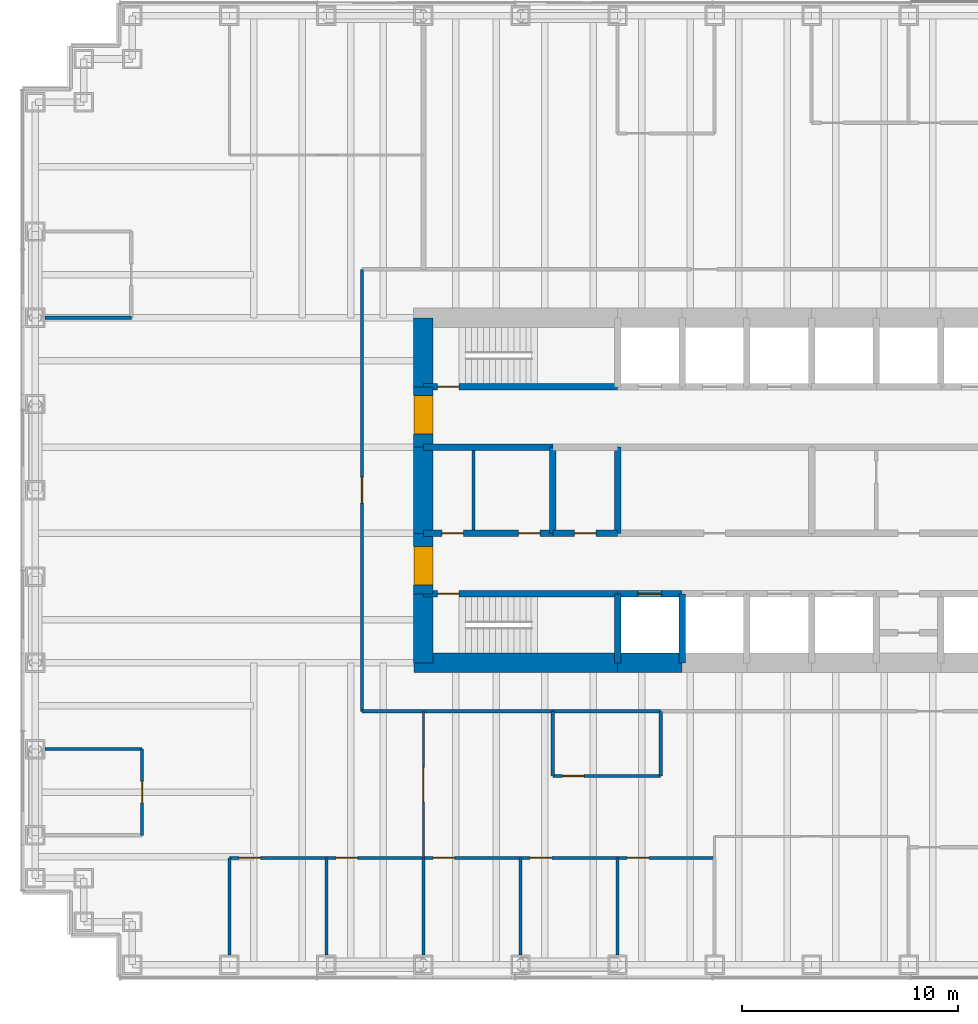
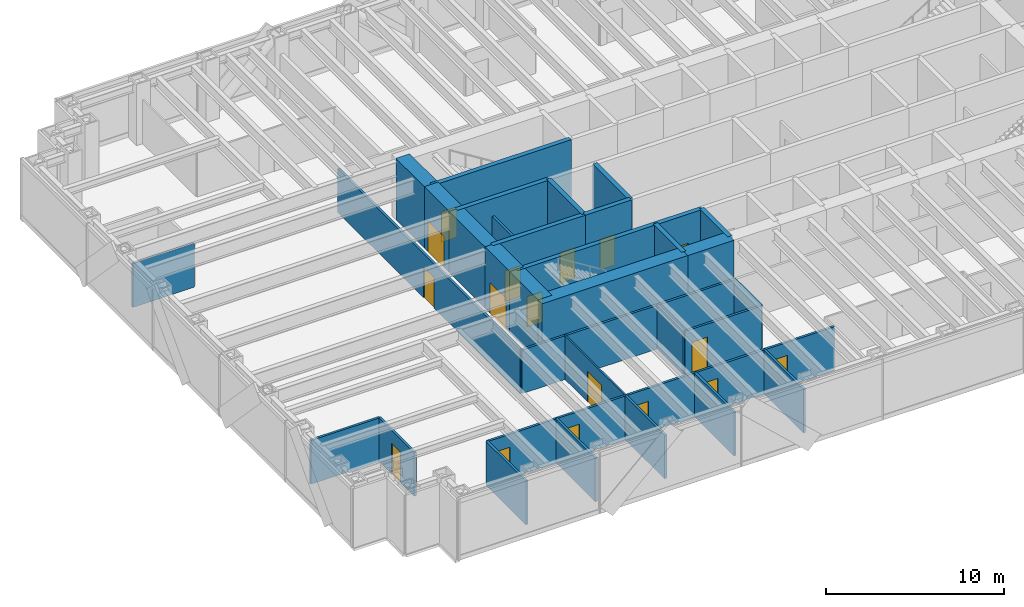
# One storey, part 11 of 15: 34 walls, 17 doors, 17 openings.
"""IFC4 building model written with IfcOpenShell, lengths in metres."""

from ifc_helpers import new_model, si_unit, direction, frame, frame_2d, origin, place, context, subcontext, project, spatial, rectangle, extrude, material, layer, layer_set, type_object, element, fill, save


model = new_model("IFC4")

# Units and contexts
model_context = context("Model", 3, precision=1e-05, world=origin(), true_north=direction((0.0, 1.0)))
body_context = subcontext(model_context, "Body", "Model", "MODEL_VIEW")
ifc_project = project(units=[si_unit("LENGTHUNIT", "METRE"), si_unit("AREAUNIT", "SQUARE_METRE"), si_unit("VOLUMEUNIT", "CUBIC_METRE"), si_unit("PLANEANGLEUNIT", "RADIAN"), si_unit("MASSUNIT", "GRAM", prefix="KILO")], contexts=[model_context])

# Site, building, storey
site_placement = place(None, origin())
site = spatial("IfcSite", under=ifc_project, at=site_placement, CompositionType="ELEMENT")
building_placement = place(site_placement, origin())
building = spatial("IfcBuilding", under=site, at=building_placement, Name="Rheinbord Bourse Tower", CompositionType="ELEMENT")
storey_placement = place(building_placement, frame((0.0, 0.0, 163.5)))
storey = spatial("IfcBuildingStorey", under=building, at=storey_placement, Name="L36", CompositionType="ELEMENT", Elevation=163.5)

# Wall, opening, door
ifc_material_1 = material(Name="Concrete C50/60", Category="concrete")
ifc_layer_1 = layer(ifc_material_1, 0.300048828125)
ifc_layer_set_1 = layer_set([ifc_layer_1], Name="CORE INNER WALL 300")
wall_type_1 = type_object("IfcWallType", Name="CORE INNER WALL 300", PredefinedType="SOLIDWALL", material=ifc_layer_set_1)
wall_1_placement = place(storey_placement, frame((18.0, 19.199951171875, 0.0), z_axis=(0.0, 0.0, 1.0), x_axis=(1.0, 0.0, 0.0)))
wall_1 = element("IfcWall", 1, at=wall_1_placement, inside=storey, type_object=wall_type_1, Name="Core wall A1 L36", PredefinedType="SOLIDWALL", context=body_context, shape_type="SweptSolid", body=[
    extrude(rectangle(XDim=9.0, YDim=0.300048828125, at=frame_2d((4.5, 0.0))), origin(), (0.0, 0.0, 1.0), 4.199951171875),
])
opening_1_placement = place(wall_1_placement, frame((0.64990234375, 0.0, 0.0)))
opening_1 = element("IfcOpeningElement", 2, at=opening_1_placement, cuts=wall_1, Name="Opening 3610", PredefinedType="OPENING", context=body_context, shape_type="SweptSolid", body=[
    extrude(rectangle(XDim=1.0, YDim=2.10009765625, at=frame_2d((0.5, 1.050048828125))), frame((0.0, 0.159912109375, 0.0), z_axis=(0.0, -1.0, 0.0), x_axis=(1.0, 0.0, 0.0)), (0.0, 0.0, 1.0), 0.320068359375),
])
ifc_material_2 = material(Name="Steel door", Category="steel")
door_type_1 = type_object("IfcDoorType", Name="DOOR 1000 EI30", OperationType="SINGLE_SWING_LEFT", PredefinedType="DOOR", material=ifc_material_2)
door_1_placement = place(opening_1_placement, origin())
door_1 = element("IfcDoor", 3, at=door_1_placement, inside=storey, type_object=door_type_1, Name="Stair door ST1 L36", OperationType="SINGLE_SWING_LEFT", OverallHeight=2.10009765625, OverallWidth=1.0, PredefinedType="DOOR", context=body_context, shape_type="SweptSolid", body=[
    extrude(rectangle(XDim=1.0, YDim=2.10009765625, at=frame_2d((0.5, 1.050048828125))), frame((0.0, 0.02490234375, 0.0), z_axis=(0.0, -1.0, 0.0), x_axis=(1.0, 0.0, 0.0)), (0.0, 0.0, 1.0), 0.050048828125),
])
fill(opening_1, door_1)

wall_2_placement = place(storey_placement, frame((27.0, 19.199951171875, 0.0), z_axis=(0.0, 0.0, 1.0), x_axis=(1.0, 0.0, 0.0)))
wall_2 = element("IfcWall", 4, at=wall_2_placement, inside=storey, type_object=wall_type_1, Name="Core wall A2 L36", PredefinedType="SOLIDWALL", context=body_context, shape_type="SweptSolid", body=[
    extrude(rectangle(XDim=3.0, YDim=0.300048828125, at=frame_2d((1.5, 0.0))), origin(), (0.0, 0.0, 1.0), 4.199951171875),
])
opening_2_placement = place(wall_2_placement, frame((0.949951171875, 0.0, 0.0)))
opening_2 = element("IfcOpeningElement", 5, at=opening_2_placement, cuts=wall_2, Name="Opening FL1", PredefinedType="OPENING", context=body_context, shape_type="SweptSolid", body=[
    extrude(rectangle(XDim=1.10009765625, YDim=2.199951171875, at=frame_2d((0.550048828125, 1.10009765625))), frame((0.0, 0.159912109375, 0.0), z_axis=(0.0, -1.0, 0.0), x_axis=(1.0, 0.0, 0.0)), (0.0, 0.0, 1.0), 0.320068359375),
])
ifc_material_3 = material(Name="Steel landing door", Category="steel")
door_type_2 = type_object("IfcDoorType", Name="LIFT LANDING DOOR 1100", OperationType="DOUBLE_DOOR_SLIDING", PredefinedType="USERDEFINED", material=ifc_material_3)
door_2_placement = place(opening_2_placement, origin())
door_2 = element("IfcDoor", 6, at=door_2_placement, inside=storey, type_object=door_type_2, Name="Lift landing door FL1 L36", ObjectType="LIFT LANDING DOOR", OperationType="DOUBLE_DOOR_SLIDING", OverallHeight=2.199951171875, OverallWidth=1.10009765625, PredefinedType="USERDEFINED", context=body_context, shape_type="SweptSolid", body=[
    extrude(rectangle(XDim=1.10009765625, YDim=2.199951171875, at=frame_2d((0.550048828125, 1.10009765625))), frame((0.0, 0.02490234375, 0.0), z_axis=(0.0, -1.0, 0.0), x_axis=(1.0, 0.0, 0.0)), (0.0, 0.0, 1.0), 0.050048828125),
])
fill(opening_2, door_2)

wall_3_placement = place(storey_placement, frame((18.0, 28.800048828125, 0.0), z_axis=(0.0, 0.0, 1.0), x_axis=(1.0, 0.0, 0.0)))
wall_3 = element("IfcWall", 7, at=wall_3_placement, inside=storey, type_object=wall_type_1, Name="Core wall B1 L36", PredefinedType="SOLIDWALL", context=body_context, shape_type="SweptSolid", body=[
    extrude(rectangle(XDim=9.0, YDim=0.300048828125, at=frame_2d((4.5, 0.0))), origin(), (0.0, 0.0, 1.0), 4.199951171875),
])
opening_3_placement = place(wall_3_placement, frame((0.64990234375, 0.0, 0.0)))
opening_3 = element("IfcOpeningElement", 8, at=opening_3_placement, cuts=wall_3, Name="Opening 3620", PredefinedType="OPENING", context=body_context, shape_type="SweptSolid", body=[
    extrude(rectangle(XDim=1.0, YDim=2.10009765625, at=frame_2d((0.5, 1.050048828125))), frame((0.0, 0.159912109375, 0.0), z_axis=(0.0, -1.0, 0.0), x_axis=(1.0, 0.0, 0.0)), (0.0, 0.0, 1.0), 0.320068359375),
])
door_3_placement = place(opening_3_placement, origin())
door_3 = element("IfcDoor", 9, at=door_3_placement, inside=storey, type_object=door_type_1, Name="Stair door ST2 L36", OperationType="SINGLE_SWING_LEFT", OverallHeight=2.10009765625, OverallWidth=1.0, PredefinedType="DOOR", context=body_context, shape_type="SweptSolid", body=[
    extrude(rectangle(XDim=1.0, YDim=2.10009765625, at=frame_2d((0.5, 1.050048828125))), frame((0.0, 0.02490234375, 0.0), z_axis=(0.0, -1.0, 0.0), x_axis=(1.0, 0.0, 0.0)), (0.0, 0.0, 1.0), 0.050048828125),
])
fill(opening_3, door_3)

# Wall, openings, doors
wall_4_placement = place(storey_placement, frame((18.0, 22.0, 0.0), z_axis=(0.0, 0.0, 1.0), x_axis=(1.0, 0.0, 0.0)))
wall_4 = element("IfcWall", 10, at=wall_4_placement, inside=storey, type_object=wall_type_1, Name="Core wall C1 L36", PredefinedType="SOLIDWALL", context=body_context, shape_type="SweptSolid", body=[
    extrude(rectangle(XDim=6.0, YDim=0.300048828125, at=frame_2d((3.0, 0.0))), origin(), (0.0, 0.0, 1.0), 4.199951171875),
])
opening_4_placement = place(wall_4_placement, frame((4.39990234375, 0.0, 0.0)))
opening_4 = element("IfcOpeningElement", 11, at=opening_4_placement, cuts=wall_4, Name="Opening 36R1", PredefinedType="OPENING", context=body_context, shape_type="SweptSolid", body=[
    extrude(rectangle(XDim=1.0, YDim=2.10009765625, at=frame_2d((0.5, 1.050048828125))), frame((0.0, 0.159912109375, 0.0), z_axis=(0.0, -1.0, 0.0), x_axis=(1.0, 0.0, 0.0)), (0.0, 0.0, 1.0), 0.320068359375),
])
opening_5_placement = place(wall_4_placement, frame((0.85009765625, 0.0, 0.0)))
opening_5 = element("IfcOpeningElement", 12, at=opening_5_placement, cuts=wall_4, Name="Opening 36R9", PredefinedType="OPENING", context=body_context, shape_type="SweptSolid", body=[
    extrude(rectangle(XDim=1.0, YDim=2.10009765625, at=frame_2d((0.5, 1.050048828125))), frame((0.0, 0.159912109375, 0.0), z_axis=(0.0, -1.0, 0.0), x_axis=(1.0, 0.0, 0.0)), (0.0, 0.0, 1.0), 0.320068359375),
])
door_4_placement = place(opening_5_placement, origin())
door_4 = element("IfcDoor", 13, at=door_4_placement, inside=storey, type_object=door_type_1, Name="Staff shower door L36", OperationType="SINGLE_SWING_LEFT", OverallHeight=2.10009765625, OverallWidth=1.0, PredefinedType="DOOR", context=body_context, shape_type="SweptSolid", body=[
    extrude(rectangle(XDim=1.0, YDim=2.10009765625, at=frame_2d((0.5, 1.050048828125))), frame((0.0, 0.02490234375, 0.0), z_axis=(0.0, -1.0, 0.0), x_axis=(1.0, 0.0, 0.0)), (0.0, 0.0, 1.0), 0.050048828125),
])
fill(opening_5, door_4)
ifc_material_4 = material(Name="Timber door", Category="wood")
door_type_3 = type_object("IfcDoorType", Name="DOOR 1000 WC", OperationType="SINGLE_SWING_LEFT", PredefinedType="DOOR", material=ifc_material_4)
door_5_placement = place(opening_4_placement, origin())
door_5 = element("IfcDoor", 14, at=door_5_placement, inside=storey, type_object=door_type_3, Name="WC men door L36", OperationType="SINGLE_SWING_RIGHT", OverallHeight=2.10009765625, OverallWidth=1.0, PredefinedType="DOOR", context=body_context, shape_type="SweptSolid", body=[
    extrude(rectangle(XDim=1.0, YDim=2.10009765625, at=frame_2d((0.5, 1.050048828125))), frame((0.0, 0.02490234375, 0.0), z_axis=(0.0, -1.0, 0.0), x_axis=(1.0, 0.0, 0.0)), (0.0, 0.0, 1.0), 0.050048828125),
])
fill(opening_4, door_5)

# Wall, opening, door
wall_5_placement = place(storey_placement, frame((24.0, 22.0, 0.0), z_axis=(0.0, 0.0, 1.0), x_axis=(1.0, 0.0, 0.0)))
wall_5 = element("IfcWall", 15, at=wall_5_placement, inside=storey, type_object=wall_type_1, Name="Core wall C2 L36", PredefinedType="SOLIDWALL", context=body_context, shape_type="SweptSolid", body=[
    extrude(rectangle(XDim=3.0, YDim=0.300048828125, at=frame_2d((1.5, 0.0))), origin(), (0.0, 0.0, 1.0), 4.199951171875),
])
opening_6_placement = place(wall_5_placement, frame((1.0, 0.0, 0.0)))
opening_6 = element("IfcOpeningElement", 16, at=opening_6_placement, cuts=wall_5, Name="Opening 36R2", PredefinedType="OPENING", context=body_context, shape_type="SweptSolid", body=[
    extrude(rectangle(XDim=1.0, YDim=2.10009765625, at=frame_2d((0.5, 1.050048828125))), frame((0.0, 0.159912109375, 0.0), z_axis=(0.0, -1.0, 0.0), x_axis=(1.0, 0.0, 0.0)), (0.0, 0.0, 1.0), 0.320068359375),
])
door_6_placement = place(opening_6_placement, origin())
door_6 = element("IfcDoor", 17, at=door_6_placement, inside=storey, type_object=door_type_3, Name="Shower and accessible WC door L36", OperationType="SINGLE_SWING_LEFT", OverallHeight=2.10009765625, OverallWidth=1.0, PredefinedType="DOOR", context=body_context, shape_type="SweptSolid", body=[
    extrude(rectangle(XDim=1.0, YDim=2.10009765625, at=frame_2d((0.5, 1.050048828125))), frame((0.0, 0.02490234375, 0.0), z_axis=(0.0, -1.0, 0.0), x_axis=(1.0, 0.0, 0.0)), (0.0, 0.0, 1.0), 0.050048828125),
])
fill(opening_6, door_6)

# Walls
wall_6_placement = place(storey_placement, frame((18.0, 26.0, 0.0), z_axis=(0.0, 0.0, 1.0), x_axis=(1.0, 0.0, 0.0)))
element("IfcWall", 18, at=wall_6_placement, inside=storey, type_object=wall_type_1, Name="Core wall D1 L36", PredefinedType="SOLIDWALL", context=body_context, shape_type="SweptSolid", body=[
    extrude(rectangle(XDim=6.0, YDim=0.300048828125, at=frame_2d((3.0, 0.0))), origin(), (0.0, 0.0, 1.0), 4.199951171875),
])
for number, where, z_axis, x_axis, name in (
    (19, (27.0, 16.0, 0.0), (0.0, 0.0, 1.0), (0.0, 1.0, 0.0), "Core wall SX27 L36"),
    (20, (30.0, 16.0, 0.0), (0.0, 0.0, 1.0), (0.0, 1.0, 0.0), "Core wall SX30 L36"),
):
    element("IfcWall", number, at=place(storey_placement, frame(where, z_axis=z_axis, x_axis=x_axis)), inside=storey, type_object=wall_type_1, Name=name, PredefinedType="SOLIDWALL", context=body_context, shape_type="SweptSolid", body=[
        extrude(rectangle(XDim=3.199951171875, YDim=0.300048828125, at=frame_2d((1.60009765625, 0.0))), origin(), (0.0, 0.0, 1.0), 4.199951171875),
    ])
for number, where, z_axis, x_axis, name in (
    (21, (24.0, 22.0, 0.0), (0.0, 0.0, 1.0), (0.0, 1.0, 0.0), "Core wall MX24 L36"),
    (22, (27.0, 22.0, 0.0), (0.0, 0.0, 1.0), (0.0, 1.0, 0.0), "Core wall MX27 L36"),
):
    element("IfcWall", number, at=place(storey_placement, frame(where, z_axis=z_axis, x_axis=x_axis)), inside=storey, type_object=wall_type_1, Name=name, PredefinedType="SOLIDWALL", context=body_context, shape_type="SweptSolid", body=[
        extrude(rectangle(XDim=4.0, YDim=0.300048828125, at=frame_2d((2.0, 0.0))), origin(), (0.0, 0.0, 1.0), 4.199951171875),
    ])
ifc_material_5 = material(Name="Gypsum board fire partition", Category="gypsum board")
ifc_layer_2 = layer(ifc_material_5, 0.14990234375)
ifc_layer_set_2 = layer_set([ifc_layer_2], Name="CORE PARTITION 150 EI30")
wall_type_2 = type_object("IfcWallType", Name="CORE PARTITION 150 EI30", PredefinedType="PARTITIONING", material=ifc_layer_set_2)
wall_7_placement = place(storey_placement, frame((20.324951171875, 22.14990234375, 0.0), z_axis=(0.0, 0.0, 1.0), x_axis=(0.0, 1.0, 0.0)))
element("IfcWall", 23, at=wall_7_placement, inside=storey, type_object=wall_type_2, Name="Core partition L36-2", PredefinedType="PARTITIONING", context=body_context, shape_type="SweptSolid", body=[
    extrude(rectangle(XDim=3.7001953125, YDim=0.14990234375, at=frame_2d((1.85009765625, 0.0))), origin(), (0.0, 0.0, 1.0), 3.0),
])
ifc_material_6 = material(Name="Concrete C50/60", Category="concrete")
ifc_layer_3 = layer(ifc_material_6, 0.89990234375)
ifc_layer_set_3 = layer_set([ifc_layer_3], Name="CORE WALL 900")
wall_type_3 = type_object("IfcWallType", Name="CORE WALL 900", PredefinedType="SHEAR", material=ifc_layer_set_3)
wall_8_placement = place(storey_placement, frame((17.550048828125, 16.0, 0.0), z_axis=(0.0, 0.0, 1.0), x_axis=(1.0, 0.0, 0.0)))
element("IfcWall", 24, at=wall_8_placement, inside=storey, type_object=wall_type_3, Name="Core wall S1 L36", PredefinedType="SHEAR", context=body_context, shape_type="SweptSolid", body=[
    extrude(rectangle(XDim=9.449951171875, YDim=0.89990234375, at=frame_2d((4.72509765625, 0.0))), origin(), (0.0, 0.0, 1.0), 4.199951171875),
])
wall_9_placement = place(storey_placement, frame((27.0, 16.0, 0.0), z_axis=(0.0, 0.0, 1.0), x_axis=(1.0, 0.0, 0.0)))
element("IfcWall", 25, at=wall_9_placement, inside=storey, type_object=wall_type_3, Name="Core wall S2 L36", PredefinedType="SHEAR", context=body_context, shape_type="SweptSolid", body=[
    extrude(rectangle(XDim=3.0, YDim=0.89990234375, at=frame_2d((1.5, 0.0))), origin(), (0.0, 0.0, 1.0), 4.199951171875),
])
wall_10_placement = place(storey_placement, frame((18.0, 32.0, 0.0), z_axis=(0.0, 0.0, 1.0), x_axis=(0.0, -1.0, 0.0)))
element("IfcWall", 26, at=wall_10_placement, inside=storey, type_object=wall_type_3, Name="Core wall W1 L36", PredefinedType="SHEAR", context=body_context, shape_type="SweptSolid", body=[
    extrude(rectangle(XDim=3.199951171875, YDim=0.89990234375, at=frame_2d((1.60009765625, 0.0))), origin(), (0.0, 0.0, 1.0), 4.199951171875),
])

# Wall, opening, door
wall_11_placement = place(storey_placement, frame((18.0, 28.800048828125, 0.0), z_axis=(0.0, 0.0, 1.0), x_axis=(0.0, -1.0, 0.0)))
wall_11 = element("IfcWall", 27, at=wall_11_placement, inside=storey, type_object=wall_type_3, Name="Core wall W2 L36", PredefinedType="SHEAR", context=body_context, shape_type="SweptSolid", body=[
    extrude(rectangle(XDim=2.800048828125, YDim=0.89990234375, at=frame_2d((1.39990234375, 0.0))), origin(), (0.0, 0.0, 1.0), 4.199951171875),
])
opening_7_placement = place(wall_11_placement, frame((0.39990234375, 0.0, 0.0)))
opening_7 = element("IfcOpeningElement", 28, at=opening_7_placement, cuts=wall_11, Name="Opening 36L2", PredefinedType="OPENING", context=body_context, shape_type="SweptSolid", body=[
    extrude(rectangle(XDim=1.800048828125, YDim=2.10009765625, at=frame_2d((0.89990234375, 1.050048828125))), frame((0.0, 0.4599609375, 0.0), z_axis=(0.0, -1.0, 0.0), x_axis=(1.0, 0.0, 0.0)), (0.0, 0.0, 1.0), 0.919921875),
])
ifc_material_7 = material(Name="Steel door", Category="steel")
door_type_4 = type_object("IfcDoorType", Name="DOOR 1800 EI30 DOUBLE", OperationType="DOUBLE_DOOR_DOUBLE_SWING", PredefinedType="DOOR", material=ifc_material_7)
door_7_placement = place(opening_7_placement, origin())
door_7 = element("IfcDoor", 29, at=door_7_placement, inside=storey, type_object=door_type_4, Name="Lobby door 2 L36", OperationType="SINGLE_SWING_LEFT", OverallHeight=2.10009765625, OverallWidth=1.800048828125, PredefinedType="DOOR", context=body_context, shape_type="SweptSolid", body=[
    extrude(rectangle(XDim=1.800048828125, YDim=2.10009765625, at=frame_2d((0.89990234375, 1.050048828125))), frame((0.0, 0.44970703125, 0.0), z_axis=(0.0, -1.0, 0.0), x_axis=(1.0, 0.0, 0.0)), (0.0, 0.0, 1.0), 0.8994140625),
])
fill(opening_7, door_7)

# Wall
wall_12_placement = place(storey_placement, frame((18.0, 26.0, 0.0), z_axis=(0.0, 0.0, 1.0), x_axis=(0.0, -1.0, 0.0)))
element("IfcWall", 30, at=wall_12_placement, inside=storey, type_object=wall_type_3, Name="Core wall W3 L36", PredefinedType="SHEAR", context=body_context, shape_type="SweptSolid", body=[
    extrude(rectangle(XDim=4.0, YDim=0.89990234375, at=frame_2d((2.0, 0.0))), origin(), (0.0, 0.0, 1.0), 4.199951171875),
])

# Wall, opening, door
wall_13_placement = place(storey_placement, frame((18.0, 22.0, 0.0), z_axis=(0.0, 0.0, 1.0), x_axis=(0.0, -1.0, 0.0)))
wall_13 = element("IfcWall", 31, at=wall_13_placement, inside=storey, type_object=wall_type_3, Name="Core wall W4 L36", PredefinedType="SHEAR", context=body_context, shape_type="SweptSolid", body=[
    extrude(rectangle(XDim=2.800048828125, YDim=0.89990234375, at=frame_2d((1.39990234375, 0.0))), origin(), (0.0, 0.0, 1.0), 4.199951171875),
])
opening_8_placement = place(wall_13_placement, frame((0.60009765625, 0.0, 0.0)))
opening_8 = element("IfcOpeningElement", 32, at=opening_8_placement, cuts=wall_13, Name="Opening 36L1", PredefinedType="OPENING", context=body_context, shape_type="SweptSolid", body=[
    extrude(rectangle(XDim=1.800048828125, YDim=2.10009765625, at=frame_2d((0.89990234375, 1.050048828125))), frame((0.0, 0.4599609375, 0.0), z_axis=(0.0, -1.0, 0.0), x_axis=(1.0, 0.0, 0.0)), (0.0, 0.0, 1.0), 0.919921875),
])
door_8_placement = place(opening_8_placement, origin())
door_8 = element("IfcDoor", 33, at=door_8_placement, inside=storey, type_object=door_type_4, Name="Lobby door 1 L36", OperationType="SINGLE_SWING_LEFT", OverallHeight=2.10009765625, OverallWidth=1.800048828125, PredefinedType="DOOR", context=body_context, shape_type="SweptSolid", body=[
    extrude(rectangle(XDim=1.800048828125, YDim=2.10009765625, at=frame_2d((0.89990234375, 1.050048828125))), frame((0.0, 0.44970703125, 0.0), z_axis=(0.0, -1.0, 0.0), x_axis=(1.0, 0.0, 0.0)), (0.0, 0.0, 1.0), 0.8994140625),
])
fill(opening_8, door_8)

# Walls
wall_14_placement = place(storey_placement, frame((18.0, 19.199951171875, 0.0), z_axis=(0.0, 0.0, 1.0), x_axis=(0.0, -1.0, 0.0)))
element("IfcWall", 34, at=wall_14_placement, inside=storey, type_object=wall_type_3, Name="Core wall W5 L36", PredefinedType="SHEAR", context=body_context, shape_type="SweptSolid", body=[
    extrude(rectangle(XDim=3.199951171875, YDim=0.89990234375, at=frame_2d((1.60009765625, 0.0))), origin(), (0.0, 0.0, 1.0), 4.199951171875),
])
ifc_material_8 = material(Name="Gypsum board corridor partition", Category="gypsum board")
ifc_layer_4 = layer(ifc_material_8, 0.14990234375)
ifc_layer_set_4 = layer_set([ifc_layer_4], Name="CORRIDOR PARTITION 150 EI30")
wall_type_4 = type_object("IfcWallType", Name="CORRIDOR PARTITION 150 EI30", PredefinedType="PARTITIONING", material=ifc_layer_set_4)
wall_15_placement = place(storey_placement, frame((15.14990234375, 13.75, 0.0), z_axis=(0.0, 0.0, 1.0), x_axis=(1.0, 0.0, 0.0)))
element("IfcWall", 35, at=wall_15_placement, inside=storey, type_object=wall_type_4, Name="Partition L36-08", PredefinedType="PARTITIONING", context=body_context, shape_type="SweptSolid", body=[
    extrude(rectangle(XDim=8.85009765625, YDim=0.14990234375, at=frame_2d((4.425048828125, 0.0))), origin(), (0.0, 0.0, 1.0), 3.0),
])

# Wall, opening, door
wall_16_placement = place(storey_placement, frame((15.14990234375, 13.75, 0.0), z_axis=(0.0, 0.0, 1.0), x_axis=(0.0, 1.0, 0.0)))
wall_16 = element("IfcWall", 36, at=wall_16_placement, inside=storey, type_object=wall_type_4, Name="Partition L36-28", PredefinedType="PARTITIONING", context=body_context, shape_type="SweptSolid", body=[
    extrude(rectangle(XDim=20.5, YDim=0.14990234375, at=frame_2d((10.25, 0.0))), origin(), (0.0, 0.0, 1.0), 3.0),
])
opening_9_placement = place(wall_16_placement, frame((9.64990234375, 0.0, 0.0)))
opening_9 = element("IfcOpeningElement", 37, at=opening_9_placement, cuts=wall_16, Name="Opening 36D23", PredefinedType="OPENING", context=body_context, shape_type="SweptSolid", body=[
    extrude(rectangle(XDim=1.199951171875, YDim=2.10009765625, at=frame_2d((0.60009765625, 1.050048828125))), frame((0.0, 0.0849609375, 0.0), z_axis=(0.0, -1.0, 0.0), x_axis=(1.0, 0.0, 0.0)), (0.0, 0.0, 1.0), 0.169921875),
])
ifc_material_9 = material(Name="Timber fire door", Category="wood")
door_type_5 = type_object("IfcDoorType", Name="SUITE ENTRANCE DOOR 1200 EI30", OperationType="SINGLE_SWING_LEFT", PredefinedType="DOOR", material=ifc_material_9)
door_9_placement = place(opening_9_placement, origin())
door_9 = element("IfcDoor", 38, at=door_9_placement, inside=storey, type_object=door_type_5, Name="Suite entrance 1 door L36", OperationType="SINGLE_SWING_LEFT", OverallHeight=2.10009765625, OverallWidth=1.199951171875, PredefinedType="DOOR", context=body_context, shape_type="SweptSolid", body=[
    extrude(rectangle(XDim=1.199951171875, YDim=2.10009765625, at=frame_2d((0.60009765625, 1.050048828125))), frame((0.0, 0.02490234375, 0.0), z_axis=(0.0, -1.0, 0.0), x_axis=(1.0, 0.0, 0.0)), (0.0, 0.0, 1.0), 0.050048828125),
])
fill(opening_9, door_9)

ifc_material_10 = material(Name="Gypsum board fire partition", Category="gypsum board")
ifc_layer_5 = layer(ifc_material_10, 0.14990234375)
ifc_layer_set_5 = layer_set([ifc_layer_5], Name="FIRE PARTITION 150 EI60")
wall_type_5 = type_object("IfcWallType", Name="FIRE PARTITION 150 EI60", PredefinedType="PARTITIONING", material=ifc_layer_set_5)
wall_17_placement = place(storey_placement, frame((24.0, 10.75, 0.0), z_axis=(0.0, 0.0, 1.0), x_axis=(1.0, 0.0, 0.0)))
wall_17 = element("IfcWall", 39, at=wall_17_placement, inside=storey, type_object=wall_type_5, Name="Partition L36-05", PredefinedType="PARTITIONING", context=body_context, shape_type="SweptSolid", body=[
    extrude(rectangle(XDim=5.0, YDim=0.14990234375, at=frame_2d((2.5, 0.0))), origin(), (0.0, 0.0, 1.0), 3.0),
])
opening_10_placement = place(wall_17_placement, frame((0.449951171875, 0.0, 0.0)))
opening_10 = element("IfcOpeningElement", 40, at=opening_10_placement, cuts=wall_17, Name="Opening 36D09", PredefinedType="OPENING", context=body_context, shape_type="SweptSolid", body=[
    extrude(rectangle(XDim=1.0, YDim=2.10009765625, at=frame_2d((0.5, 1.050048828125))), frame((0.0, 0.0849609375, 0.0), z_axis=(0.0, -1.0, 0.0), x_axis=(1.0, 0.0, 0.0)), (0.0, 0.0, 1.0), 0.169921875),
])
ifc_material_11 = material(Name="Timber fire door", Category="wood")
door_type_6 = type_object("IfcDoorType", Name="FIRE DOOR 1000 EI60", OperationType="SINGLE_SWING_LEFT", PredefinedType="DOOR", material=ifc_material_11)
door_10_placement = place(opening_10_placement, origin())
door_10 = element("IfcDoor", 41, at=door_10_placement, inside=storey, type_object=door_type_6, Name="Comms room door L36", OperationType="SINGLE_SWING_LEFT", OverallHeight=2.10009765625, OverallWidth=1.0, PredefinedType="DOOR", context=body_context, shape_type="SweptSolid", body=[
    extrude(rectangle(XDim=1.0, YDim=2.10009765625, at=frame_2d((0.5, 1.050048828125))), frame((0.0, 0.02490234375, 0.0), z_axis=(0.0, -1.0, 0.0), x_axis=(1.0, 0.0, 0.0)), (0.0, 0.0, 1.0), 0.050048828125),
])
fill(opening_10, door_10)

# Walls
wall_18_placement = place(storey_placement, frame((0.449951171875, 12.0, 0.0), z_axis=(0.0, 0.0, 1.0), x_axis=(1.0, 0.0, 0.0)))
element("IfcWall", 42, at=wall_18_placement, inside=storey, type_object=wall_type_5, Name="Partition L36-06", PredefinedType="PARTITIONING", context=body_context, shape_type="SweptSolid", body=[
    extrude(rectangle(XDim=4.5, YDim=0.14990234375, at=frame_2d((2.25, 0.0))), origin(), (0.0, 0.0, 1.0), 3.0),
])
wall_19_placement = place(storey_placement, frame((24.0, 13.75, 0.0), z_axis=(0.0, 0.0, 1.0), x_axis=(1.0, 0.0, 0.0)))
element("IfcWall", 43, at=wall_19_placement, inside=storey, type_object=wall_type_5, Name="Partition L36-09", PredefinedType="PARTITIONING", context=body_context, shape_type="SweptSolid", body=[
    extrude(rectangle(XDim=5.0, YDim=0.14990234375, at=frame_2d((2.5, 0.0))), origin(), (0.0, 0.0, 1.0), 3.0),
])

# Wall, opening, door
wall_20_placement = place(storey_placement, frame((4.949951171875, 8.0, 0.0), z_axis=(0.0, 0.0, 1.0), x_axis=(0.0, 1.0, 0.0)))
wall_20 = element("IfcWall", 44, at=wall_20_placement, inside=storey, type_object=wall_type_5, Name="Partition L36-24", PredefinedType="PARTITIONING", context=body_context, shape_type="SweptSolid", body=[
    extrude(rectangle(XDim=4.0, YDim=0.14990234375, at=frame_2d((2.0, 0.0))), origin(), (0.0, 0.0, 1.0), 3.0),
])
opening_11_placement = place(wall_20_placement, frame((1.5, 0.0, 0.0)))
opening_11 = element("IfcOpeningElement", 45, at=opening_11_placement, cuts=wall_20, Name="Opening 36D08", PredefinedType="OPENING", context=body_context, shape_type="SweptSolid", body=[
    extrude(rectangle(XDim=1.0, YDim=2.10009765625, at=frame_2d((0.5, 1.050048828125))), frame((0.0, 0.0849609375, 0.0), z_axis=(0.0, -1.0, 0.0), x_axis=(1.0, 0.0, 0.0)), (0.0, 0.0, 1.0), 0.169921875),
])
door_11_placement = place(opening_11_placement, origin())
door_11 = element("IfcDoor", 46, at=door_11_placement, inside=storey, type_object=door_type_6, Name="File room door L36", OperationType="SINGLE_SWING_LEFT", OverallHeight=2.10009765625, OverallWidth=1.0, PredefinedType="DOOR", context=body_context, shape_type="SweptSolid", body=[
    extrude(rectangle(XDim=1.0, YDim=2.10009765625, at=frame_2d((0.5, 1.050048828125))), frame((0.0, 0.02490234375, 0.0), z_axis=(0.0, -1.0, 0.0), x_axis=(1.0, 0.0, 0.0)), (0.0, 0.0, 1.0), 0.050048828125),
])
fill(opening_11, door_11)

# Walls
for number, where, z_axis, x_axis, name in (
    (47, (24.0, 10.75, 0.0), (0.0, 0.0, 1.0), (0.0, 1.0, 0.0), "Partition L36-33"),
    (48, (29.0, 10.75, 0.0), (0.0, 0.0, 1.0), (0.0, 1.0, 0.0), "Partition L36-36"),
):
    element("IfcWall", number, at=place(storey_placement, frame(where, z_axis=z_axis, x_axis=x_axis)), inside=storey, type_object=wall_type_5, Name=name, PredefinedType="PARTITIONING", context=body_context, shape_type="SweptSolid", body=[
        extrude(rectangle(XDim=3.0, YDim=0.14990234375, at=frame_2d((1.5, 0.0))), origin(), (0.0, 0.0, 1.0), 3.0),
    ])

# Wall, opening, door
ifc_material_12 = material(Name="Toughened laminated glass partition", Category="glass")
ifc_layer_6 = layer(ifc_material_12, 0.10009765625)
ifc_layer_set_6 = layer_set([ifc_layer_6], Name="GLAZED PARTITION 100")
wall_type_6 = type_object("IfcWallType", Name="GLAZED PARTITION 100", PredefinedType="PARTITIONING", material=ifc_layer_set_6)
wall_21_placement = place(storey_placement, frame((18.0, 6.949951171875, 0.0), z_axis=(0.0, 0.0, 1.0), x_axis=(0.0, 1.0, 0.0)))
wall_21 = element("IfcWall", 49, at=wall_21_placement, inside=storey, type_object=wall_type_6, Name="Partition L36-30", PredefinedType="PARTITIONING", context=body_context, shape_type="SweptSolid", body=[
    extrude(rectangle(XDim=6.800048828125, YDim=0.10009765625, at=frame_2d((3.39990234375, 0.0))), origin(), (0.0, 0.0, 1.0), 3.0),
])
opening_12_placement = place(wall_21_placement, frame((2.60009765625, 0.0, 0.0)))
opening_12 = element("IfcOpeningElement", 50, at=opening_12_placement, cuts=wall_21, Name="Opening 36D21", PredefinedType="OPENING", context=body_context, shape_type="SweptSolid", body=[
    extrude(rectangle(XDim=1.60009765625, YDim=2.10009765625, at=frame_2d((0.800048828125, 1.050048828125))), frame((0.0, 0.06005859375, 0.0), z_axis=(0.0, -1.0, 0.0), x_axis=(1.0, 0.0, 0.0)), (0.0, 0.0, 1.0), 0.1201171875),
])
ifc_material_13 = material(Name="Timber door", Category="wood")
door_type_7 = type_object("IfcDoorType", Name="DOUBLE ROOM DOOR 1600", OperationType="DOUBLE_DOOR_DOUBLE_SWING", PredefinedType="DOOR", material=ifc_material_13)
door_12_placement = place(opening_12_placement, origin())
door_12 = element("IfcDoor", 51, at=door_12_placement, inside=storey, type_object=door_type_7, Name="Open area door L36", OperationType="SINGLE_SWING_LEFT", OverallHeight=2.10009765625, OverallWidth=1.60009765625, PredefinedType="DOOR", context=body_context, shape_type="SweptSolid", body=[
    extrude(rectangle(XDim=1.60009765625, YDim=2.10009765625, at=frame_2d((0.800048828125, 1.050048828125))), frame((0.0, 0.02490234375, 0.0), z_axis=(0.0, -1.0, 0.0), x_axis=(1.0, 0.0, 0.0)), (0.0, 0.0, 1.0), 0.050048828125),
])
fill(opening_12, door_12)

# Wall, openings, doors
ifc_material_14 = material(Name="Gypsum board partition", Category="gypsum board")
ifc_layer_7 = layer(ifc_material_14, 0.14990234375)
ifc_layer_set_7 = layer_set([ifc_layer_7], Name="PARTITION 150")
wall_type_7 = type_object("IfcWallType", Name="PARTITION 150", PredefinedType="PARTITIONING", material=ifc_layer_set_7)
wall_22_placement = place(storey_placement, frame((9.0, 6.949951171875, 0.0), z_axis=(0.0, 0.0, 1.0), x_axis=(1.0, 0.0, 0.0)))
wall_22 = element("IfcWall", 52, at=wall_22_placement, inside=storey, type_object=wall_type_7, Name="Partition L36-01", PredefinedType="PARTITIONING", context=body_context, shape_type="SweptSolid", body=[
    extrude(rectangle(XDim=22.5, YDim=0.14990234375, at=frame_2d((11.25, 0.0))), origin(), (0.0, 0.0, 1.0), 3.0),
])
opening_13_placement = place(wall_22_placement, frame((0.449951171875, 0.0, 0.0)))
opening_13 = element("IfcOpeningElement", 53, at=opening_13_placement, cuts=wall_22, Name="Opening 36D01", PredefinedType="OPENING", context=body_context, shape_type="SweptSolid", body=[
    extrude(rectangle(XDim=1.0, YDim=2.10009765625, at=frame_2d((0.5, 1.050048828125))), frame((0.0, 0.0849609375, 0.0), z_axis=(0.0, -1.0, 0.0), x_axis=(1.0, 0.0, 0.0)), (0.0, 0.0, 1.0), 0.169921875),
])
opening_14_placement = place(wall_22_placement, frame((4.949951171875, 0.0, 0.0)))
opening_14 = element("IfcOpeningElement", 54, at=opening_14_placement, cuts=wall_22, Name="Opening 36D02", PredefinedType="OPENING", context=body_context, shape_type="SweptSolid", body=[
    extrude(rectangle(XDim=1.0, YDim=2.10009765625, at=frame_2d((0.5, 1.050048828125))), frame((0.0, 0.0849609375, 0.0), z_axis=(0.0, -1.0, 0.0), x_axis=(1.0, 0.0, 0.0)), (0.0, 0.0, 1.0), 0.169921875),
])
opening_15_placement = place(wall_22_placement, frame((9.449951171875, 0.0, 0.0)))
opening_15 = element("IfcOpeningElement", 55, at=opening_15_placement, cuts=wall_22, Name="Opening 36D03", PredefinedType="OPENING", context=body_context, shape_type="SweptSolid", body=[
    extrude(rectangle(XDim=1.0, YDim=2.10009765625, at=frame_2d((0.5, 1.050048828125))), frame((0.0, 0.0849609375, 0.0), z_axis=(0.0, -1.0, 0.0), x_axis=(1.0, 0.0, 0.0)), (0.0, 0.0, 1.0), 0.169921875),
])
opening_16_placement = place(wall_22_placement, frame((13.949951171875, 0.0, 0.0)))
opening_16 = element("IfcOpeningElement", 56, at=opening_16_placement, cuts=wall_22, Name="Opening 36D04", PredefinedType="OPENING", context=body_context, shape_type="SweptSolid", body=[
    extrude(rectangle(XDim=1.0, YDim=2.10009765625, at=frame_2d((0.5, 1.050048828125))), frame((0.0, 0.0849609375, 0.0), z_axis=(0.0, -1.0, 0.0), x_axis=(1.0, 0.0, 0.0)), (0.0, 0.0, 1.0), 0.169921875),
])
opening_17_placement = place(wall_22_placement, frame((18.449951171875, 0.0, 0.0)))
opening_17 = element("IfcOpeningElement", 57, at=opening_17_placement, cuts=wall_22, Name="Opening 36D05", PredefinedType="OPENING", context=body_context, shape_type="SweptSolid", body=[
    extrude(rectangle(XDim=1.0, YDim=2.10009765625, at=frame_2d((0.5, 1.050048828125))), frame((0.0, 0.0849609375, 0.0), z_axis=(0.0, -1.0, 0.0), x_axis=(1.0, 0.0, 0.0)), (0.0, 0.0, 1.0), 0.169921875),
])
ifc_material_15 = material(Name="Timber door", Category="wood")
door_type_8 = type_object("IfcDoorType", Name="ROOM DOOR 1000", OperationType="SINGLE_SWING_LEFT", PredefinedType="DOOR", material=ifc_material_15)
door_13_placement = place(opening_13_placement, origin())
door_13 = element("IfcDoor", 58, at=door_13_placement, inside=storey, type_object=door_type_8, Name="Office door L36", OperationType="SINGLE_SWING_LEFT", OverallHeight=2.10009765625, OverallWidth=1.0, PredefinedType="DOOR", context=body_context, shape_type="SweptSolid", body=[
    extrude(rectangle(XDim=1.0, YDim=2.10009765625, at=frame_2d((0.5, 1.050048828125))), frame((0.0, 0.02490234375, 0.0), z_axis=(0.0, -1.0, 0.0), x_axis=(1.0, 0.0, 0.0)), (0.0, 0.0, 1.0), 0.050048828125),
])
fill(opening_13, door_13)
door_14_placement = place(opening_14_placement, origin())
door_14 = element("IfcDoor", 59, at=door_14_placement, inside=storey, type_object=door_type_8, Name="Office door L36", OperationType="SINGLE_SWING_LEFT", OverallHeight=2.10009765625, OverallWidth=1.0, PredefinedType="DOOR", context=body_context, shape_type="SweptSolid", body=[
    extrude(rectangle(XDim=1.0, YDim=2.10009765625, at=frame_2d((0.5, 1.050048828125))), frame((0.0, 0.02490234375, 0.0), z_axis=(0.0, -1.0, 0.0), x_axis=(1.0, 0.0, 0.0)), (0.0, 0.0, 1.0), 0.050048828125),
])
fill(opening_14, door_14)
door_15_placement = place(opening_15_placement, origin())
door_15 = element("IfcDoor", 60, at=door_15_placement, inside=storey, type_object=door_type_8, Name="Office door L36", OperationType="SINGLE_SWING_LEFT", OverallHeight=2.10009765625, OverallWidth=1.0, PredefinedType="DOOR", context=body_context, shape_type="SweptSolid", body=[
    extrude(rectangle(XDim=1.0, YDim=2.10009765625, at=frame_2d((0.5, 1.050048828125))), frame((0.0, 0.02490234375, 0.0), z_axis=(0.0, -1.0, 0.0), x_axis=(1.0, 0.0, 0.0)), (0.0, 0.0, 1.0), 0.050048828125),
])
fill(opening_15, door_15)
door_16_placement = place(opening_16_placement, origin())
door_16 = element("IfcDoor", 61, at=door_16_placement, inside=storey, type_object=door_type_8, Name="Office door L36", OperationType="SINGLE_SWING_RIGHT", OverallHeight=2.10009765625, OverallWidth=1.0, PredefinedType="DOOR", context=body_context, shape_type="SweptSolid", body=[
    extrude(rectangle(XDim=1.0, YDim=2.10009765625, at=frame_2d((0.5, 1.050048828125))), frame((0.0, 0.02490234375, 0.0), z_axis=(0.0, -1.0, 0.0), x_axis=(1.0, 0.0, 0.0)), (0.0, 0.0, 1.0), 0.050048828125),
])
fill(opening_16, door_16)
door_17_placement = place(opening_17_placement, origin())
door_17 = element("IfcDoor", 62, at=door_17_placement, inside=storey, type_object=door_type_8, Name="Office door L36", OperationType="SINGLE_SWING_RIGHT", OverallHeight=2.10009765625, OverallWidth=1.0, PredefinedType="DOOR", context=body_context, shape_type="SweptSolid", body=[
    extrude(rectangle(XDim=1.0, YDim=2.10009765625, at=frame_2d((0.5, 1.050048828125))), frame((0.0, 0.02490234375, 0.0), z_axis=(0.0, -1.0, 0.0), x_axis=(1.0, 0.0, 0.0)), (0.0, 0.0, 1.0), 0.050048828125),
])
fill(opening_17, door_17)

# Walls
wall_23_placement = place(storey_placement, frame((0.449951171875, 32.0, 0.0), z_axis=(0.0, 0.0, 1.0), x_axis=(1.0, 0.0, 0.0)))
element("IfcWall", 63, at=wall_23_placement, inside=storey, type_object=wall_type_7, Name="Partition L36-12", PredefinedType="PARTITIONING", context=body_context, shape_type="SweptSolid", body=[
    extrude(rectangle(XDim=4.0, YDim=0.14990234375, at=frame_2d((2.0, 0.0))), origin(), (0.0, 0.0, 1.0), 3.0),
])
for number, where, z_axis, x_axis, name in (
    (64, (9.0, 2.449951171875, 0.0), (0.0, 0.0, 1.0), (0.0, 1.0, 0.0), "Partition L36-25"),
    (65, (13.5, 2.449951171875, 0.0), (0.0, 0.0, 1.0), (0.0, 1.0, 0.0), "Partition L36-27"),
    (66, (18.0, 2.449951171875, 0.0), (0.0, 0.0, 1.0), (0.0, 1.0, 0.0), "Partition L36-29"),
    (67, (22.5, 2.449951171875, 0.0), (0.0, 0.0, 1.0), (0.0, 1.0, 0.0), "Partition L36-32"),
    (68, (27.0, 2.449951171875, 0.0), (0.0, 0.0, 1.0), (0.0, 1.0, 0.0), "Partition L36-34"),
):
    element("IfcWall", number, at=place(storey_placement, frame(where, z_axis=z_axis, x_axis=x_axis)), inside=storey, type_object=wall_type_7, Name=name, PredefinedType="PARTITIONING", context=body_context, shape_type="SweptSolid", body=[
        extrude(rectangle(XDim=4.5, YDim=0.14990234375, at=frame_2d((2.25, 0.0))), origin(), (0.0, 0.0, 1.0), 3.0),
    ])

save(model, "model.ifc")
